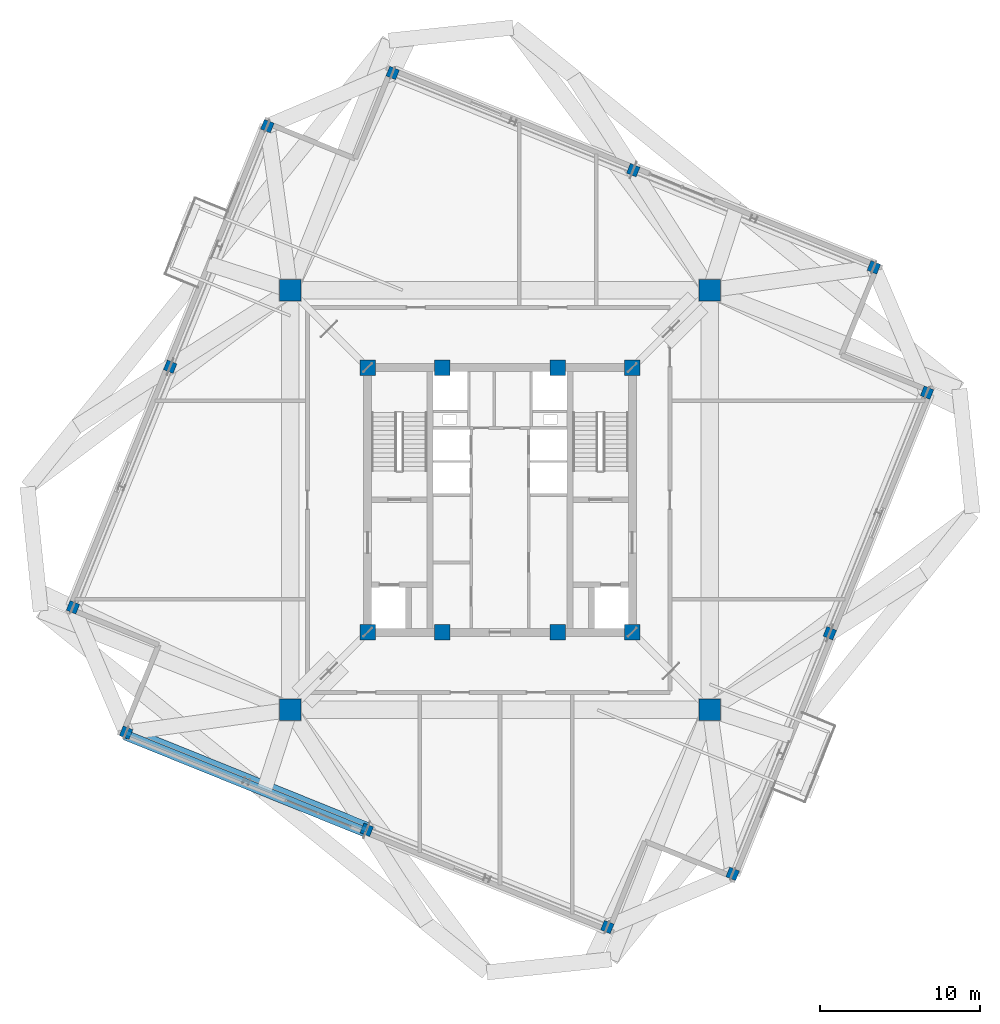
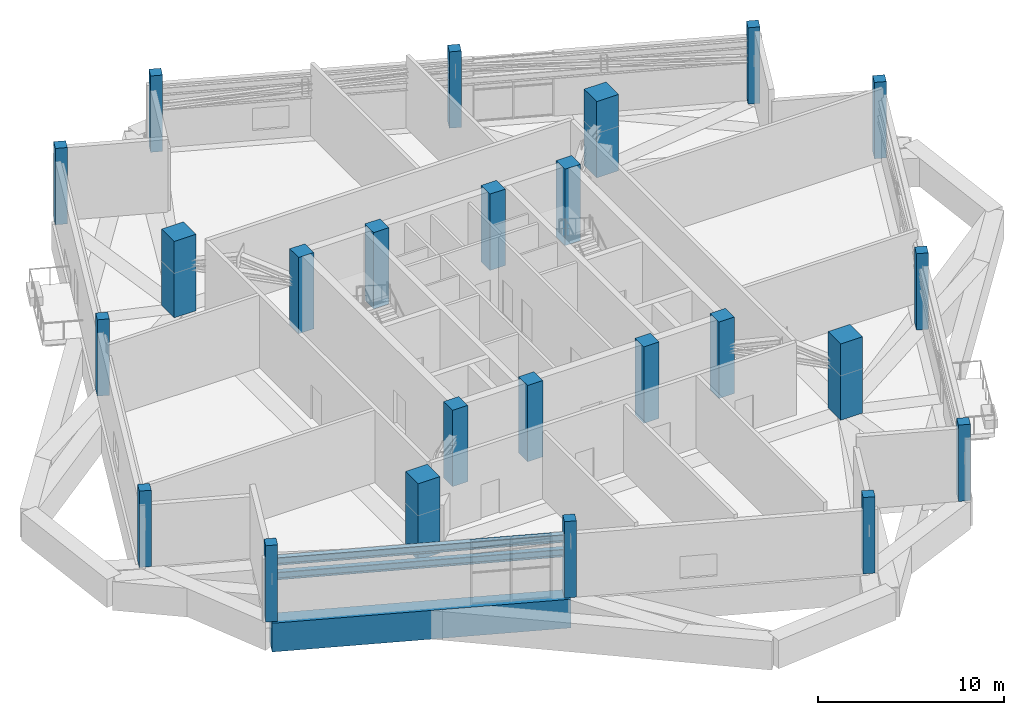
# One storey, part 1 of 20: 24 columns, 2 members, 1 beam.
"""IFC4 building model written with IfcOpenShell, lengths in metres."""

from ifc_helpers import new_model, si_unit, direction, frame, origin, origin_2d, place, context, subcontext, project, spatial, rectangle, i_section, extrude, source, transform, mapped, material, material_profile, profile_set, type_object, element, save


model = new_model("IFC4")

# Units and contexts
model_context = context("Model", 3, precision=1e-05, world=origin(), true_north=direction((0.0, 1.0)))
body_context = subcontext(model_context, "Body", "Model", "MODEL_VIEW")
ifc_project = project(units=[si_unit("LENGTHUNIT", "METRE"), si_unit("AREAUNIT", "SQUARE_METRE"), si_unit("VOLUMEUNIT", "CUBIC_METRE"), si_unit("PLANEANGLEUNIT", "RADIAN"), si_unit("MASSUNIT", "GRAM", prefix="KILO"), si_unit("THERMODYNAMICTEMPERATUREUNIT", "KELVIN")], contexts=[model_context])

# Site, building, storey
site_placement = place(None, origin())
site = spatial("IfcSite", under=ifc_project, at=site_placement, CompositionType="ELEMENT")
building_placement = place(site_placement, origin())
building = spatial("IfcBuilding", under=site, at=building_placement, Name="Kosmvard Interchange Tower", CompositionType="ELEMENT")
storey_placement = place(building_placement, frame((0.0, 0.0, 260.199951171875)))
storey = spatial("IfcBuildingStorey", under=building, at=storey_placement, Name="L63", CompositionType="ELEMENT", Elevation=260.199951171875)

# Columns
ifc_material_1 = material(Name="Concrete C60/75", Category="concrete")
ifc_material_profile_1 = material_profile(ifc_material_1, rectangle(XDim=0.949951171875, YDim=0.949951171875, at=origin_2d()), Name="CP 950x950")
ifc_profile_set_1 = profile_set([ifc_material_profile_1], Name="Concrete C60/75")
column_type_1 = type_object("IfcColumnType", Name="Core Boundary Pilaster 950x950 C60/75", PredefinedType="PILASTER", material=ifc_profile_set_1)
shared_shape_1 = source(origin(), body_context, "Body", "SweptSolid", [
    extrude(rectangle(XDim=0.949951171875, YDim=0.949951171875, at=origin_2d()), origin(), (0.0, 0.0, 1.0), 5.0),
])
for number, where, z_axis, x_axis, name in (
    (1, (-8.25, -8.25, 0.0), (0.0, 0.0, 1.0), (1.0, 0.0, 0.0), "L63 Core Pilaster CP1"),
    (2, (8.25, -8.25, 0.0), (0.0, 0.0, 1.0), (1.0, 0.0, 0.0), "L63 Core Pilaster CP2"),
    (3, (8.25, 8.25, 0.0), (0.0, 0.0, 1.0), (1.0, 0.0, 0.0), "L63 Core Pilaster CP3"),
    (4, (-8.25, 8.25, 0.0), (0.0, 0.0, 1.0), (1.0, 0.0, 0.0), "L63 Core Pilaster CP4"),
    (5, (-3.60009765625, -8.25, 0.0), (0.0, 0.0, 1.0), (1.0, 0.0, 0.0), "L63 Core Pilaster CP5"),
    (6, (3.60009765625, -8.25, 0.0), (0.0, 0.0, 1.0), (1.0, 0.0, 0.0), "L63 Core Pilaster CP6"),
    (7, (-3.60009765625, 8.25, 0.0), (0.0, 0.0, 1.0), (1.0, 0.0, 0.0), "L63 Core Pilaster CP7"),
    (8, (3.60009765625, 8.25, 0.0), (0.0, 0.0, 1.0), (1.0, 0.0, 0.0), "L63 Core Pilaster CP8"),
):
    element("IfcColumn", number, at=place(storey_placement, frame(where, z_axis=z_axis, x_axis=x_axis)), inside=storey, type_object=column_type_1, Name=name, PredefinedType="PILASTER", context=body_context, shape_type="MappedRepresentation", body=[
        mapped(shared_shape_1, transform((0.0, 0.0, 0.0), scale=1.0)),
    ])
ifc_material_profile_2 = material_profile(ifc_material_1, rectangle(XDim=1.35009765625, YDim=1.35009765625, at=origin_2d()), Name="MC 1350x1350")
ifc_profile_set_2 = profile_set([ifc_material_profile_2], Name="Concrete C60/75")
column_type_2 = type_object("IfcColumnType", Name="Composite Mega-Column 1350x1350 C60/75", PredefinedType="COLUMN", material=ifc_profile_set_2)
shared_shape_2 = source(origin(), body_context, "Body", "SweptSolid", [
    extrude(rectangle(XDim=1.35009765625, YDim=1.35009765625, at=origin_2d()), origin(), (0.0, 0.0, 1.0), 5.0),
])
for number, where, z_axis, x_axis, name in (
    (9, (-13.0810546875, -13.0810546875, 0.0), (0.0, 0.0, 1.0), (1.0, 0.0, 0.0), "L63 Corner Mega-Column MC1"),
    (10, (13.0810546875, -13.0810546875, 0.0), (0.0, 0.0, 1.0), (1.0, 0.0, 0.0), "L63 Corner Mega-Column MC2"),
    (11, (13.0810546875, 13.0810546875, 0.0), (0.0, 0.0, 1.0), (1.0, 0.0, 0.0), "L63 Corner Mega-Column MC3"),
    (12, (-13.0810546875, 13.0810546875, 0.0), (0.0, 0.0, 1.0), (1.0, 0.0, 0.0), "L63 Corner Mega-Column MC4"),
):
    element("IfcColumn", number, at=place(storey_placement, frame(where, z_axis=z_axis, x_axis=x_axis)), inside=storey, type_object=column_type_2, Name=name, PredefinedType="COLUMN", context=body_context, shape_type="MappedRepresentation", body=[
        mapped(shared_shape_2, transform((0.0, 0.0, 0.0), scale=1.0)),
    ])
ifc_material_2 = material(Name="Concrete C50/60", Category="concrete")
ifc_material_profile_3 = material_profile(ifc_material_2, rectangle(XDim=0.64990234375, YDim=0.64990234375, at=origin_2d()), Name="TC 650x650")
ifc_profile_set_3 = profile_set([ifc_material_profile_3], Name="Concrete C50/60")
column_type_3 = type_object("IfcColumnType", Name="Zone 5 Perimeter Pier Column 650x650 C50/60", PredefinedType="COLUMN", material=ifc_profile_set_3)
shared_shape_3 = source(origin(), body_context, "Body", "SweptSolid", [
    extrude(rectangle(XDim=0.64990234375, YDim=0.64990234375, at=origin_2d()), origin(), (0.0, 0.0, 1.0), 5.0),
])
for number, where, z_axis, x_axis, name in (
    (13, (14.5009765625, -23.30419921875, 0.0), (0.0, 0.0, 1.0), (0.374606593416, 0.927183854567, 0.0), "L63 Perimeter Pier Column TC-S1"),
    (14, (20.560302734375, -8.306884765625, 0.0), (0.0, 0.0, 1.0), (0.374606593416, 0.927183854567, 0.0), "L63 Perimeter Pier Column TC-S2"),
    (15, (26.61962890625, 6.690185546875, 0.0), (0.0, 0.0, 1.0), (0.374606593416, 0.927183854567, 0.0), "L63 Perimeter Pier Column TC-S3"),
    (16, (23.30419921875, 14.5009765625, 0.0), (0.0, 0.0, 1.0), (0.374606593416, 0.927183854567, 0.0), "L63 Perimeter Pier Column TC-E1"),
    (17, (8.306884765625, 20.560302734375, 0.0), (0.0, 0.0, 1.0), (0.374606593416, 0.927183854567, 0.0), "L63 Perimeter Pier Column TC-E2"),
    (18, (-6.690185546875, 26.61962890625, 0.0), (0.0, 0.0, 1.0), (0.374606593416, 0.927183854567, 0.0), "L63 Perimeter Pier Column TC-E3"),
    (19, (-14.5009765625, 23.30419921875, 0.0), (0.0, 0.0, 1.0), (0.374606593416, 0.927183854567, 0.0), "L63 Perimeter Pier Column TC-N1"),
    (20, (-20.560302734375, 8.306884765625, 0.0), (0.0, 0.0, 1.0), (0.374606593416, 0.927183854567, 0.0), "L63 Perimeter Pier Column TC-N2"),
    (21, (-26.61962890625, -6.690185546875, 0.0), (0.0, 0.0, 1.0), (0.374606593416, 0.927183854567, 0.0), "L63 Perimeter Pier Column TC-N3"),
    (22, (-23.30419921875, -14.5009765625, 0.0), (0.0, 0.0, 1.0), (0.374606593416, 0.927183854567, 0.0), "L63 Perimeter Pier Column TC-W1"),
    (23, (-8.306884765625, -20.560302734375, 0.0), (0.0, 0.0, 1.0), (0.374606593416, 0.927183854567, 0.0), "L63 Perimeter Pier Column TC-W2"),
    (24, (6.690185546875, -26.61962890625, 0.0), (0.0, 0.0, 1.0), (0.374606593416, 0.927183854567, 0.0), "L63 Perimeter Pier Column TC-W3"),
):
    element("IfcColumn", number, at=place(storey_placement, frame(where, z_axis=z_axis, x_axis=x_axis)), inside=storey, type_object=column_type_3, Name=name, PredefinedType="COLUMN", context=body_context, shape_type="MappedRepresentation", body=[
        mapped(shared_shape_3, transform((0.0, 0.0, 0.0), scale=1.0)),
    ])

# Beam
ifc_material_profile_4 = material_profile(ifc_material_1, rectangle(XDim=0.949951171875, YDim=1.8798828125, at=origin_2d()), Name="TG 950x1880")
ifc_profile_set_4 = profile_set([ifc_material_profile_4], Name="Concrete C60/75")
beam_type = type_object("IfcBeamType", Name="Upper Long-Span Transfer Girder 950x1880 C60/75", PredefinedType="USERDEFINED", material=ifc_profile_set_4)
shared_shape_4 = source(origin(), body_context, "Body", "SweptSolid", [
    extrude(rectangle(XDim=0.949951171875, YDim=1.8798828125, at=origin_2d()), origin(), (0.0, 0.0, 1.0), 16.175048828125),
])
beam_placement = place(storey_placement, frame((-23.30419921875, -14.5009765625, -0.93994140625), z_axis=(0.927183472009, -0.374607540279, 0.0), x_axis=(0.374607540279, 0.927183472009, 0.0)))
element("IfcBeam", 25, at=beam_placement, inside=storey, type_object=beam_type, Name="BM-L63-PR10", ObjectType="TRANSFER_GIRDER", PredefinedType="USERDEFINED", context=body_context, shape_type="MappedRepresentation", body=[
    mapped(shared_shape_4, transform((0.0, 0.0, 0.0), scale=1.0)),
])

# Members
ifc_material_3 = material(Name="Steel S460", Category="steel")
ifc_material_profile_5 = material_profile(ifc_material_3, i_section(OverallWidth=0.300048828125, OverallDepth=0.5, WebThickness=0.014404296875, FlangeThickness=0.028076171875, FilletRadius=0.027099609375, at=origin_2d()), Name="HEB 500")
ifc_profile_set_5 = profile_set([ifc_material_profile_5], Name="Steel S460")
member_type = type_object("IfcMemberType", Name="Belt Truss Chord HEB 500 S460", PredefinedType="CHORD", material=ifc_profile_set_5)
shared_shape_5 = source(origin(), body_context, "Body", "SweptSolid", [
    extrude(i_section(OverallWidth=0.300048828125, OverallDepth=0.5, WebThickness=0.014404296875, FlangeThickness=0.028076171875, FilletRadius=0.027099609375, at=origin_2d()), origin(), (0.0, 0.0, 1.0), 16.175048828125),
])
for number, where, z_axis, x_axis, name in (
    (26, (-23.30419921875, -14.5009765625, 2.820068359375), (0.927183472009, -0.374607540279, 0.0), (0.374607540279, 0.927183472009, 0.0), "L63 Belt Truss Bottom Chord W1"),
    (27, (-23.30419921875, -14.5009765625, 3.77001953125), (0.927183472009, -0.374607540279, 0.0), (0.374607540279, 0.927183472009, 0.0), "L63 Belt Truss Top Chord W1"),
):
    element("IfcMember", number, at=place(storey_placement, frame(where, z_axis=z_axis, x_axis=x_axis)), inside=storey, type_object=member_type, Name=name, PredefinedType="CHORD", context=body_context, shape_type="MappedRepresentation", body=[
        mapped(shared_shape_5, transform((0.0, 0.0, 0.0), scale=1.0)),
    ])

save(model, "model.ifc")
